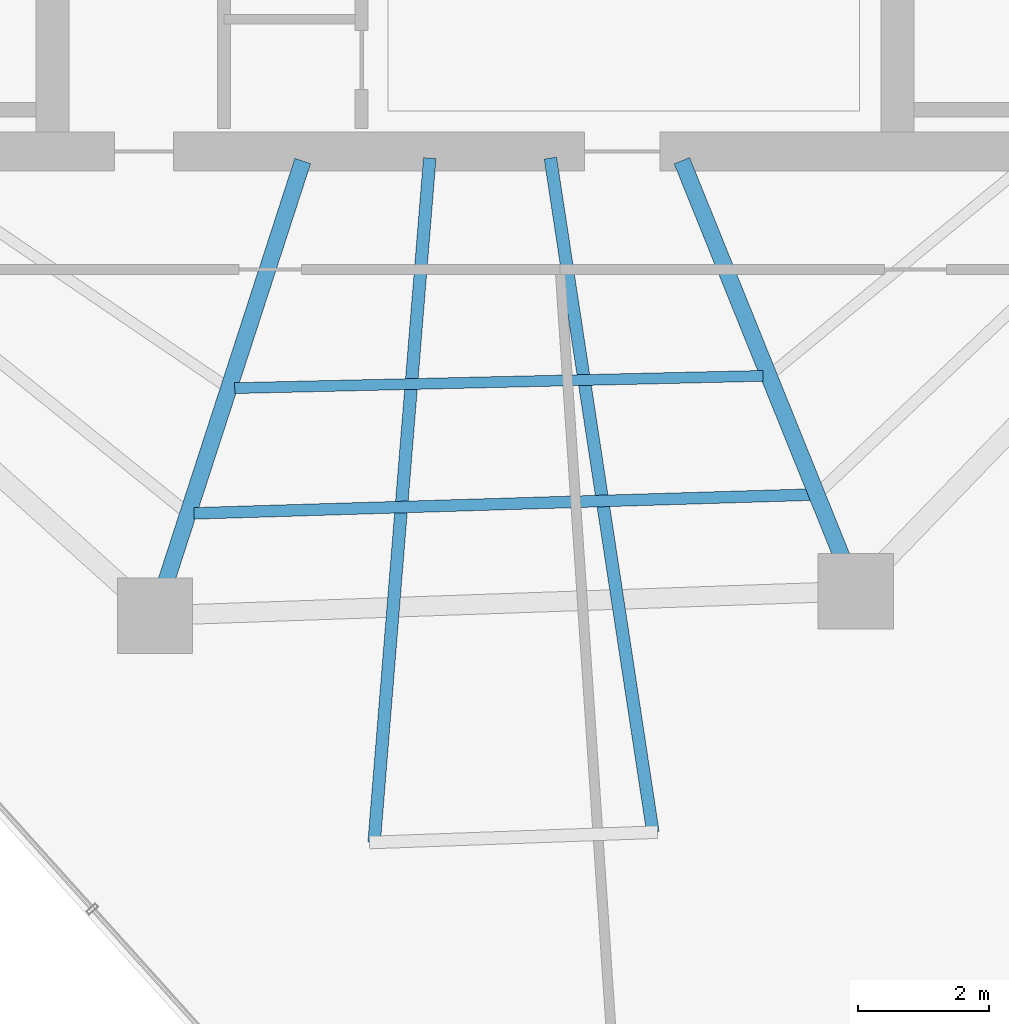
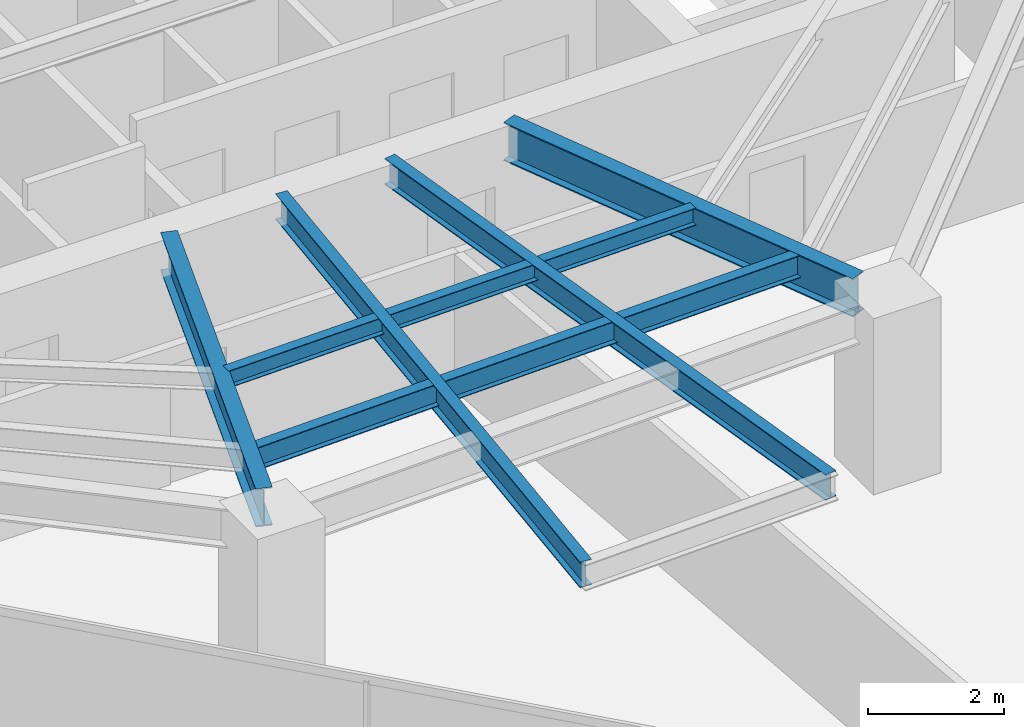
# One storey, part 6 of 27: 6 beams.
"""IFC4 building model written with IfcOpenShell, lengths in metres."""

from ifc_helpers import new_model, si_unit, direction, frame, origin, origin_2d, place, context, subcontext, project, spatial, i_section, extrude, material, material_profile, profile_set, type_object, element, save


model = new_model("IFC4")

# Units and contexts
model_context = context("Model", 3, precision=1e-05, world=origin(), true_north=direction((0.0, 1.0)))
body_context = subcontext(model_context, "Body", "Model", "MODEL_VIEW")
ifc_project = project(units=[si_unit("LENGTHUNIT", "METRE"), si_unit("AREAUNIT", "SQUARE_METRE"), si_unit("VOLUMEUNIT", "CUBIC_METRE"), si_unit("PLANEANGLEUNIT", "RADIAN"), si_unit("MASSUNIT", "GRAM", prefix="KILO")], contexts=[model_context])

# Site, building, storey
site_placement = place(None, origin())
site = spatial("IfcSite", under=ifc_project, at=site_placement, CompositionType="ELEMENT")
building_placement = place(site_placement, origin())
building = spatial("IfcBuilding", under=site, at=building_placement, Name="Qarnah Convention Tower", CompositionType="ELEMENT")
storey_placement = place(building_placement, frame((0.0, 0.0, 110.85009765625)))
storey = spatial("IfcBuildingStorey", under=building, at=storey_placement, Name="L29", CompositionType="ELEMENT", Elevation=110.85009765625)

# Beams
ifc_material = material(Name="Structural steel S355JR", Category="steel")
ifc_material_profile_1 = material_profile(ifc_material, i_section(OverallWidth=0.19189453125, OverallDepth=0.464111328125, WebThickness=0.010986328125, FlangeThickness=0.01806640625, at=origin_2d()), Name="W460X89")
ifc_profile_set_1 = profile_set([ifc_material_profile_1], Name="Structural steel S355JR")
beam_type_1 = type_object("IfcBeamType", Name="BM-CANT-W460A", PredefinedType="BEAM", material=ifc_profile_set_1)
beam_1_placement = place(storey_placement, frame((38.40087890625, 18.5009765625, 2.93798828125), z_axis=(0.150335373551, -0.988635056762, 0.0), x_axis=(0.988635056762, 0.150335373551, 0.0)))
element("IfcBeam", 1, at=beam_1_placement, inside=storey, type_object=beam_type_1, Name="L29 beam BM-L29-CNT-03-1", PredefinedType="BEAM", context=body_context, shape_type="SweptSolid", body=[
    extrude(i_section(OverallWidth=0.19189453125, OverallDepth=0.464111328125, WebThickness=0.010986328125, FlangeThickness=0.01806640625, at=origin_2d()), origin(), (0.0, 0.0, 1.0), 10.411376953125),
])
beam_2_placement = place(storey_placement, frame((36.55908203125, 18.5, 2.93798828125), z_axis=(-0.081026671921, -0.996711933528, 0.0), x_axis=(0.996711933528, -0.081026671921, 0.0)))
element("IfcBeam", 2, at=beam_2_placement, inside=storey, type_object=beam_type_1, Name="L29 beam BM-L29-CNT-03-2", PredefinedType="BEAM", context=body_context, shape_type="SweptSolid", body=[
    extrude(i_section(OverallWidth=0.19189453125, OverallDepth=0.464111328125, WebThickness=0.010986328125, FlangeThickness=0.01806640625, at=origin_2d()), origin(), (0.0, 0.0, 1.0), 10.4794921875),
])
ifc_material_profile_2 = material_profile(ifc_material, i_section(OverallWidth=0.166015625, OverallDepth=0.31201171875, WebThickness=0.007080078125, FlangeThickness=0.010986328125, at=origin_2d()), Name="W310X45")
ifc_profile_set_2 = profile_set([ifc_material_profile_2], Name="Structural steel S355JR")
beam_type_2 = type_object("IfcBeamType", Name="BM-JST-W310", PredefinedType="JOIST", material=ifc_profile_set_2)
beam_3_placement = place(storey_placement, frame((33.58203125, 14.989013671875, 3.013916015625), z_axis=(0.999731131199, 0.02318761117, 0.0), x_axis=(-0.02318761117, 0.999731131199, 0.0)))
element("IfcBeam", 3, at=beam_3_placement, inside=storey, type_object=beam_type_2, Name="L29 joist BM-L29-IJST-07", PredefinedType="JOIST", context=body_context, shape_type="SweptSolid", body=[
    extrude(i_section(OverallWidth=0.166015625, OverallDepth=0.31201171875, WebThickness=0.007080078125, FlangeThickness=0.010986328125, at=origin_2d()), origin(), (0.0, 0.0, 1.0), 8.065185546875),
])
ifc_material_profile_3 = material_profile(ifc_material, i_section(OverallWidth=0.177978515625, OverallDepth=0.407958984375, WebThickness=0.008056640625, FlangeThickness=0.012939453125, at=origin_2d()), Name="W410X60")
ifc_profile_set_3 = profile_set([ifc_material_profile_3], Name="Structural steel S355JR")
beam_type_3 = type_object("IfcBeamType", Name="BM-JST-W410", PredefinedType="JOIST", material=ifc_profile_set_3)
beam_4_placement = place(storey_placement, frame((32.9599609375, 13.076904296875, 2.9658203125), z_axis=(0.999538703327, 0.030370718664, 0.0), x_axis=(-0.030370718664, 0.999538703327, 0.0)))
element("IfcBeam", 4, at=beam_4_placement, inside=storey, type_object=beam_type_3, Name="L29 joist BM-L29-SJST-07", PredefinedType="JOIST", context=body_context, shape_type="SweptSolid", body=[
    extrude(i_section(OverallWidth=0.177978515625, OverallDepth=0.407958984375, WebThickness=0.008056640625, FlangeThickness=0.012939453125, at=origin_2d()), origin(), (0.0, 0.0, 1.0), 9.42138671875),
])
ifc_material_profile_4 = material_profile(ifc_material, i_section(OverallWidth=0.25390625, OverallDepth=0.68798828125, WebThickness=0.012939453125, FlangeThickness=0.02099609375, at=origin_2d()), Name="W690X152")
ifc_profile_set_4 = profile_set([ifc_material_profile_4], Name="Structural steel S355JR")
beam_type_4 = type_object("IfcBeamType", Name="BM-RAD-W690", PredefinedType="BEAM", material=ifc_profile_set_4)
beam_5_placement = place(storey_placement, frame((34.6201171875, 18.45703125, 2.825927734375), z_axis=(-0.30908279771, -0.951035132979, 0.0), x_axis=(0.951035132979, -0.30908279771, 0.0)))
element("IfcBeam", 5, at=beam_5_placement, inside=storey, type_object=beam_type_4, Name="L29 beam BM-L29-RAD-07", PredefinedType="BEAM", context=body_context, shape_type="SweptSolid", body=[
    extrude(i_section(OverallWidth=0.25390625, OverallDepth=0.68798828125, WebThickness=0.012939453125, FlangeThickness=0.02099609375, at=origin_2d()), origin(), (0.0, 0.0, 1.0), 6.7431640625),
])
beam_6_placement = place(storey_placement, frame((40.407958984375, 18.4609375, 2.825927734375), z_axis=(0.374642886347, -0.927169190445, 0.0), x_axis=(0.927169190445, 0.374642886347, 0.0)))
element("IfcBeam", 6, at=beam_6_placement, inside=storey, type_object=beam_type_4, Name="L29 beam BM-L29-RAD-08", PredefinedType="BEAM", context=body_context, shape_type="SweptSolid", body=[
    extrude(i_section(OverallWidth=0.25390625, OverallDepth=0.68798828125, WebThickness=0.012939453125, FlangeThickness=0.02099609375, at=origin_2d()), origin(), (0.0, 0.0, 1.0), 6.531494140625),
])

save(model, "model.ifc")
